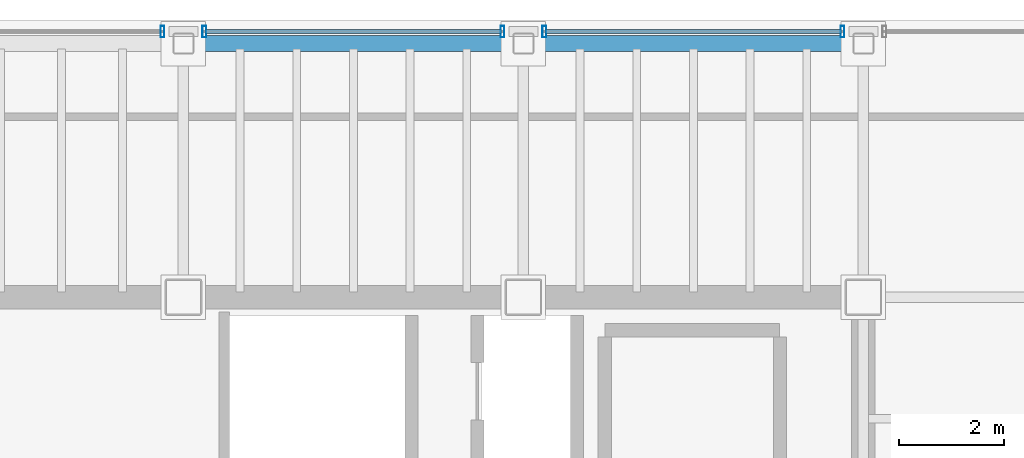
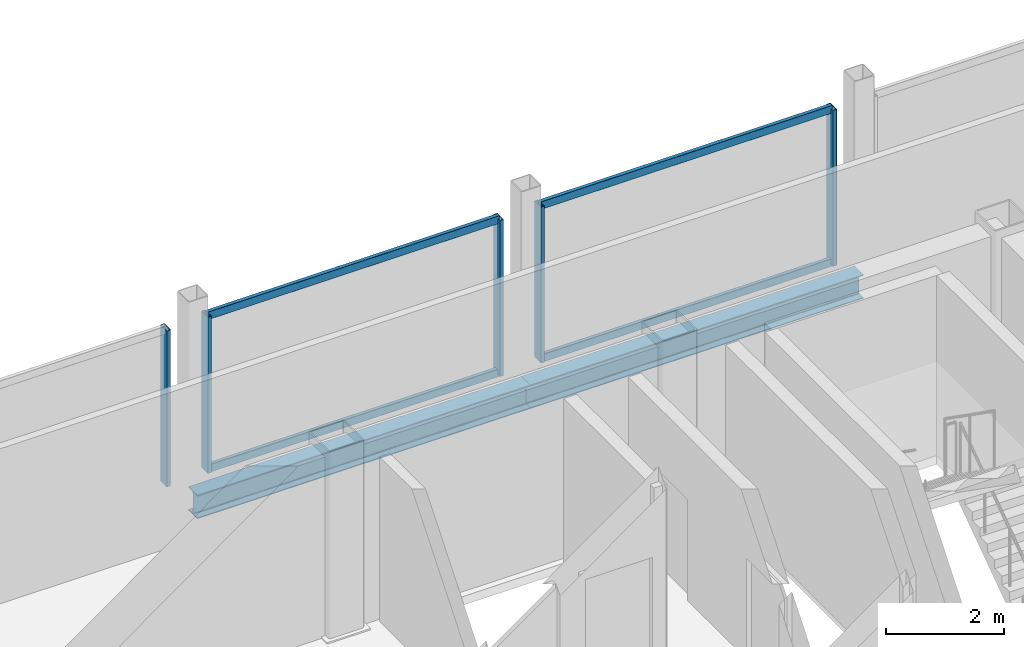
# One storey, part 10 of 17: 9 members, 2 beams, 3 elements without a shape of their own.
"""IFC4 building model written with IfcOpenShell, lengths in metres."""

import ifcopenshell
import ifcopenshell.guid

model = None  # the IFC model being written
_history = None  # IfcOwnerHistory: only IFC2X3 demands one
_inside = {}  # id of a spatial element -> (the spatial element, [elements in it])
_under = {}  # id of a project, library or spatial element -> (it, [spatial elements below it])
_declared = {}  # id of a project -> (the project, [libraries it declares])
_typed = {}  # id of a type object -> (the type object, [elements of that type])
_made_of = {}  # id of a material, layer set ... -> (it, [elements and type objects made of it])


def new_model(schema):
    """Start an empty IFC model of exactly this schema.

    Asked for "IFC4X3", IfcOpenShell would pick the latest addendum, in which some entities
    have other attributes; the version numbers below select the first issue.
    IFC2X3 requires an IfcOwnerHistory on every rooted entity: one is made here for all.
    """
    global model, _history
    if schema == "IFC4X3":
        model = ifcopenshell.file(schema_version=(4, 3, 0, 0))
    else:
        model = ifcopenshell.file(schema=schema)
    _inside.clear()
    _under.clear()
    _declared.clear()
    _typed.clear()
    _made_of.clear()
    _history = None
    if model.schema == "IFC2X3":
        org = make("IfcOrganization", Name="unknown")
        user = make(
            "IfcPersonAndOrganization",
            ThePerson=make("IfcPerson", FamilyName="unknown"),
            TheOrganization=org,
        )
        app = make(
            "IfcApplication",
            ApplicationDeveloper=org,
            Version="unknown",
            ApplicationFullName="unknown",
            ApplicationIdentifier="unknown",
        )
        _history = make(
            "IfcOwnerHistory",
            OwningUser=user,
            OwningApplication=app,
            ChangeAction="ADDED",
            CreationDate=0,
        )
    return model


def make(cls, **values):
    """One entity of the class cls with the attributes given. An attribute that is None is left unset."""
    return model.create_entity(
        cls, **{name: value for name, value in values.items() if value is not None}
    )


def rooted(cls, **values):
    """An entity with a GlobalId (a new one), such as an element, a storey or a relation."""
    return make(cls, GlobalId=ifcopenshell.guid.new(), OwnerHistory=_history, **values)


def si_unit(unit_type, name, prefix=None):
    """IfcSIUnit, for example si_unit("LENGTHUNIT", "METRE", prefix="MILLI")."""
    return make("IfcSIUnit", UnitType=unit_type, Prefix=prefix, Name=name)


def assignment(units):
    """IfcUnitAssignment: the units of a project."""
    return None if units is None else make("IfcUnitAssignment", Units=units)


def point(xyz):
    """IfcCartesianPoint."""
    return None if xyz is None else make("IfcCartesianPoint", Coordinates=xyz)


def direction(xyz):
    """IfcDirection."""
    return None if xyz is None else make("IfcDirection", DirectionRatios=xyz)


def frame(location, z_axis=None, x_axis=None):
    """IfcAxis2Placement3D, a coordinate frame: its origin and axes. An axis left out is left unset."""
    return make(
        "IfcAxis2Placement3D",
        Location=point(location),
        Axis=direction(z_axis),
        RefDirection=direction(x_axis),
    )


def frame_2d(location, x_axis=None):
    """IfcAxis2Placement2D, a coordinate frame in the plane: its origin and x axis."""
    return make(
        "IfcAxis2Placement2D", Location=point(location), RefDirection=direction(x_axis)
    )


def origin():
    """The frame at (0, 0, 0) with its axes left unset."""
    return frame((0.0, 0.0, 0.0))


def origin_2d():
    """The frame at (0, 0) in the plane with its x axis left unset."""
    return frame_2d((0.0, 0.0))


def place(relative_to, where):
    """IfcLocalPlacement: puts the frame where relative to a parent placement (None: the world)."""
    return make(
        "IfcLocalPlacement", PlacementRelTo=relative_to, RelativePlacement=where
    )


def context(
    kind, dimensions, precision=None, world=None, true_north=None, identifier=None
):
    """IfcGeometricRepresentationContext, for example the 3D "Model" context."""
    return make(
        "IfcGeometricRepresentationContext",
        ContextIdentifier=identifier,
        ContextType=kind,
        CoordinateSpaceDimension=dimensions,
        Precision=precision,
        WorldCoordinateSystem=world,
        TrueNorth=true_north,
    )


def subcontext(parent, identifier, kind, view, scale=None):
    """IfcGeometricRepresentationSubContext, for example "Body" below "Model"."""
    return make(
        "IfcGeometricRepresentationSubContext",
        ContextIdentifier=identifier,
        ContextType=kind,
        ParentContext=parent,
        TargetScale=scale,
        TargetView=view,
    )


def project(units=None, contexts=None):
    """IfcProject with its units and contexts."""
    return rooted(
        "IfcProject",
        Name="project",
        RepresentationContexts=contexts,
        UnitsInContext=assignment(units),
    )


def spatial(cls, under=None, at=None, **own):
    """A site, building, storey or space (cls), placed at a placement, below another one or the project."""
    s = rooted(cls, ObjectPlacement=at, **own)
    if under is not None:
        _under.setdefault(under.id(), (under, []))[1].append(s)
    return s


def profile(cls, at=None, kind="AREA", **sizes):
    """A parametric profile (cls). Its sizes go by their IFC names, for example OverallWidth=200.0."""
    return make(cls, ProfileType=kind, Position=at, **sizes)


def hollow_rectangle(**sizes):
    """IfcRectangleHollowProfileDef."""
    return profile("IfcRectangleHollowProfileDef", **sizes)


def i_section(**sizes):
    """IfcIShapeProfileDef."""
    return profile("IfcIShapeProfileDef", **sizes)


def extrude(swept, where, along, depth):
    """IfcExtrudedAreaSolid: the profile swept, set in the frame where, extruded along a direction by depth."""
    return make(
        "IfcExtrudedAreaSolid",
        SweptArea=swept,
        Position=where,
        ExtrudedDirection=direction(along),
        Depth=depth,
    )


def shape(context_of_items, identifier, shape_type, items):
    """IfcShapeRepresentation: the items that make up one representation, for example the "Body"."""
    return make(
        "IfcShapeRepresentation",
        ContextOfItems=context_of_items,
        RepresentationIdentifier=identifier,
        RepresentationType=shape_type,
        Items=items,
    )


def material(Name=None, Category=None):
    """IfcMaterial."""
    return make("IfcMaterial", Name=Name, Category=Category)


def material_profile(
    of_material, cross_section, Name=None, Category=None, Priority=None
):
    """IfcMaterialProfile: a cross section and its material."""
    return make(
        "IfcMaterialProfile",
        Name=Name,
        Material=of_material,
        Profile=cross_section,
        Priority=Priority,
        Category=Category,
    )


def profile_set(profiles, Name=None, composite=None):
    """IfcMaterialProfileSet."""
    return make(
        "IfcMaterialProfileSet",
        Name=Name,
        MaterialProfiles=profiles,
        CompositeProfile=composite,
    )


def made_of(thing, what):
    """Note that an element or type object is made of a material, layer set ...; save() writes the relation."""
    if what is not None:
        _made_of.setdefault(what.id(), (what, []))[1].append(thing)
    return thing


def type_object(cls, material=None, **own):
    """A type object (cls), such as IfcWallType, which elements share."""
    return made_of(rooted(cls, **own), material)


def element(
    cls,
    number,
    at=None,
    inside=None,
    cuts=None,
    type_object=None,
    material=None,
    context=None,
    identifier="Body",
    shape_type=None,
    held_by="IfcProductDefinitionShape",
    body=None,
    shapes=None,
    **own,
):
    """One element of the class cls, such as IfcWall. Its Tag is "e" and its number.

    at: its placement. inside: the storey or other place that contains it. cuts: it is an
    opening in that element (IfcRelVoidsElement). A single representation is given by context,
    identifier, shape_type and body (its items); several are given by shapes. held_by: the class
    of the entity that holds the representations. save() writes the other relations.
    """
    e = rooted(cls, Tag="e%d" % number, ObjectPlacement=at, **own)
    if body is not None:
        shapes = [shape(context, identifier, shape_type, body)]
    if shapes is not None:
        e.Representation = make(held_by, Representations=shapes)
    if inside is not None:
        _inside.setdefault(inside.id(), (inside, []))[1].append(e)
    if cuts is not None:
        rooted(
            "IfcRelVoidsElement", RelatingBuildingElement=cuts, RelatedOpeningElement=e
        )
    if type_object is not None:
        _typed.setdefault(type_object.id(), (type_object, []))[1].append(e)
    return made_of(e, material)


def aggregate(whole, parts):
    """IfcRelAggregates: a whole, such as a stair, and the parts it consists of."""
    return rooted("IfcRelAggregates", RelatingObject=whole, RelatedObjects=parts)


def save(model, path):
    """Write the relations noted so far, then the file.

    IfcRelAggregates (storeys below a building ...), IfcRelContainedInSpatialStructure (elements
    in a storey), IfcRelDefinesByType, IfcRelAssociatesMaterial and IfcRelDeclares: one each for
    every whole, place, type object, material and project.
    """
    for whole, parts in _under.values():
        aggregate(whole, parts)
    for where, things in _inside.values():
        rooted(
            "IfcRelContainedInSpatialStructure",
            RelatedElements=things,
            RelatingStructure=where,
        )
    for kind, things in _typed.values():
        rooted("IfcRelDefinesByType", RelatedObjects=things, RelatingType=kind)
    for what, things in _made_of.values():
        rooted("IfcRelAssociatesMaterial", RelatedObjects=things, RelatingMaterial=what)
    for by, libraries in _declared.values():
        rooted("IfcRelDeclares", RelatingContext=by, RelatedDefinitions=libraries)
    model.write(path)


model = new_model("IFC4")

# Units and contexts
model_context = context("Model", 3, precision=1e-05, world=origin(), true_north=direction((0.0, 1.0)))
body_context = subcontext(model_context, "Body", "Model", "MODEL_VIEW")
ifc_project = project(units=[si_unit("LENGTHUNIT", "METRE"), si_unit("AREAUNIT", "SQUARE_METRE"), si_unit("VOLUMEUNIT", "CUBIC_METRE"), si_unit("PLANEANGLEUNIT", "RADIAN"), si_unit("MASSUNIT", "GRAM", prefix="KILO")], contexts=[model_context])

# Site, building, storey
site_placement = place(None, origin())
site = spatial("IfcSite", under=ifc_project, at=site_placement, CompositionType="ELEMENT")
building_placement = place(site_placement, origin())
building = spatial("IfcBuilding", under=site, at=building_placement, Name="Noeulbin Bourse Tower", CompositionType="ELEMENT")
storey_placement = place(building_placement, frame((0.0, 0.0, 293.0)))
storey = spatial("IfcBuildingStorey", under=building, at=storey_placement, Name="L73", CompositionType="ELEMENT", Elevation=293.0)

# Beams
ifc_material_1 = material(Name="Steel S355", Category="steel")
ifc_material_profile_1 = material_profile(ifc_material_1, i_section(OverallWidth=0.300048828125, OverallDepth=0.488037109375, WebThickness=0.010986328125, FlangeThickness=0.01806640625, FilletRadius=0.02197265625, at=origin_2d()), Name="H-488x300x11x18", Category="LoadBearing")
ifc_profile_set_1 = profile_set([ifc_material_profile_1], Name="Steel S355")
beam_type = type_object("IfcBeamType", Name="BM-SPN-488", PredefinedType="SPANDREL", material=ifc_profile_set_1)
for number, where, z_axis, x_axis, name in (
    (1, (31.0, 43.14990234375, -0.424072265625), (1.0, 0.0, 0.0), (0.0, 1.0, 0.0), "North Spandrel L73-2"),
    (2, (37.5, 43.14990234375, -0.424072265625), (1.0, 0.0, 0.0), (0.0, 1.0, 0.0), "North Spandrel L73-3"),
):
    element("IfcBeam", number, at=place(storey_placement, frame(where, z_axis=z_axis, x_axis=x_axis)), inside=storey, type_object=beam_type, Name=name, PredefinedType="SPANDREL", context=body_context, shape_type="SweptSolid", body=[
        extrude(i_section(OverallWidth=0.300048828125, OverallDepth=0.488037109375, WebThickness=0.010986328125, FlangeThickness=0.01806640625, FilletRadius=0.02197265625, at=origin_2d()), origin(), (0.0, 0.0, 1.0), 6.5),
    ])

# Curtain wall, member
ifc_material_2 = material(Name="High-Selectivity Low-Iron Glazing", Category="glass")
curtain_wall_type = type_object("IfcCurtainWallType", Name="CW-SYS-4", PredefinedType="NOTDEFINED", material=ifc_material_2)
curtain_wall_1_placement = place(storey_placement, origin())
curtain_wall_1 = element("IfcCurtainWall", 3, at=curtain_wall_1_placement, inside=storey, type_object=curtain_wall_type, Name="Unitised Curtain Wall CW-L73-N-S2", PredefinedType="NOTDEFINED")
ifc_material_3 = material(Name="Anodised Aluminium 6063-T6", Category="aluminium")
ifc_material_profile_2 = material_profile(ifc_material_3, hollow_rectangle(XDim=0.074951171875, YDim=0.219970703125, WallThickness=0.0048828125, InnerFilletRadius=0.00244140625, OuterFilletRadius=0.0048828125, at=origin_2d()), Name="ALU-MULL-75x220x5", Category="LoadBearing")
ifc_profile_set_2 = profile_set([ifc_material_profile_2], Name="Anodised Aluminium 6063-T6")
member_type_1 = type_object("IfcMemberType", Name="CW-SYS-4-MUL", PredefinedType="MULLION", material=ifc_profile_set_2)
member_1_placement = place(storey_placement, frame((30.60009765625, 43.3798828125, -0.02001953125), z_axis=(0.0, 0.0, 1.0), x_axis=(1.0, 0.0, 0.0)))
member_1 = element("IfcMember", 4, at=member_1_placement, type_object=member_type_1, Name="Curtain Wall Mullion CW-L73-N-S2-M01", PredefinedType="MULLION", context=body_context, shape_type="SweptSolid", body=[
    extrude(hollow_rectangle(XDim=0.074951171875, YDim=0.219970703125, WallThickness=0.0048828125, InnerFilletRadius=0.00244140625, OuterFilletRadius=0.0048828125, at=origin_2d()), origin(), (0.0, 0.0, 1.0), 3.219970703125),
])
aggregate(curtain_wall_1, [member_1])

# Curtain wall, members
curtain_wall_2_placement = place(storey_placement, origin())
curtain_wall_2 = element("IfcCurtainWall", 5, at=curtain_wall_2_placement, inside=storey, type_object=curtain_wall_type, Name="Unitised Curtain Wall CW-L73-N-S3", PredefinedType="NOTDEFINED")
member_2_placement = place(storey_placement, frame((31.39990234375, 43.3798828125, -0.02001953125), z_axis=(0.0, 0.0, 1.0), x_axis=(1.0, 0.0, 0.0)))
member_2 = element("IfcMember", 6, at=member_2_placement, type_object=member_type_1, Name="Curtain Wall Mullion CW-L73-N-S3-M00", PredefinedType="MULLION", context=body_context, shape_type="SweptSolid", body=[
    extrude(hollow_rectangle(XDim=0.074951171875, YDim=0.219970703125, WallThickness=0.0048828125, InnerFilletRadius=0.00244140625, OuterFilletRadius=0.0048828125, at=origin_2d()), origin(), (0.0, 0.0, 1.0), 3.219970703125),
])
member_3_placement = place(storey_placement, frame((37.10009765625, 43.3798828125, -0.02001953125), z_axis=(0.0, 0.0, 1.0), x_axis=(1.0, 0.0, 0.0)))
member_3 = element("IfcMember", 7, at=member_3_placement, type_object=member_type_1, Name="Curtain Wall Mullion CW-L73-N-S3-M01", PredefinedType="MULLION", context=body_context, shape_type="SweptSolid", body=[
    extrude(hollow_rectangle(XDim=0.074951171875, YDim=0.219970703125, WallThickness=0.0048828125, InnerFilletRadius=0.00244140625, OuterFilletRadius=0.0048828125, at=origin_2d()), origin(), (0.0, 0.0, 1.0), 3.219970703125),
])

curtain_wall_3_placement = place(storey_placement, origin())
curtain_wall_3 = element("IfcCurtainWall", 8, at=curtain_wall_3_placement, inside=storey, type_object=curtain_wall_type, Name="Unitised Curtain Wall CW-L73-N-S4", PredefinedType="NOTDEFINED")
member_4_placement = place(storey_placement, frame((37.89990234375, 43.3798828125, -0.02001953125), z_axis=(0.0, 0.0, 1.0), x_axis=(1.0, 0.0, 0.0)))
member_4 = element("IfcMember", 9, at=member_4_placement, type_object=member_type_1, Name="Curtain Wall Mullion CW-L73-N-S4-M00", PredefinedType="MULLION", context=body_context, shape_type="SweptSolid", body=[
    extrude(hollow_rectangle(XDim=0.074951171875, YDim=0.219970703125, WallThickness=0.0048828125, InnerFilletRadius=0.00244140625, OuterFilletRadius=0.0048828125, at=origin_2d()), origin(), (0.0, 0.0, 1.0), 3.219970703125),
])
member_5_placement = place(storey_placement, frame((43.60009765625, 43.3798828125, -0.02001953125), z_axis=(0.0, 0.0, 1.0), x_axis=(1.0, 0.0, 0.0)))
member_5 = element("IfcMember", 10, at=member_5_placement, type_object=member_type_1, Name="Curtain Wall Mullion CW-L73-N-S4-M01", PredefinedType="MULLION", context=body_context, shape_type="SweptSolid", body=[
    extrude(hollow_rectangle(XDim=0.074951171875, YDim=0.219970703125, WallThickness=0.0048828125, InnerFilletRadius=0.00244140625, OuterFilletRadius=0.0048828125, at=origin_2d()), origin(), (0.0, 0.0, 1.0), 3.219970703125),
])

# Member
ifc_material_profile_3 = material_profile(ifc_material_3, hollow_rectangle(XDim=0.074951171875, YDim=0.159912109375, WallThickness=0.0048828125, InnerFilletRadius=0.00244140625, OuterFilletRadius=0.0048828125, at=origin_2d()), Name="ALU-TRAN-75x160x5", Category="LoadBearing")
ifc_profile_set_3 = profile_set([ifc_material_profile_3], Name="Anodised Aluminium 6063-T6")
member_type_2 = type_object("IfcMemberType", Name="CW-SYS-4-TRN", PredefinedType="USERDEFINED", material=ifc_profile_set_3)
member_6_placement = place(storey_placement, frame((31.409912109375, 43.3798828125, 0.010009765625), z_axis=(1.0, 0.0, 0.0), x_axis=(0.0, 1.0, 0.0)))
member_6 = element("IfcMember", 11, at=member_6_placement, type_object=member_type_2, Name="Curtain Wall Transom CW-L73-N-S3-T00", ObjectType="TRANSOM", PredefinedType="USERDEFINED", context=body_context, shape_type="SweptSolid", body=[
    extrude(hollow_rectangle(XDim=0.074951171875, YDim=0.159912109375, WallThickness=0.0048828125, InnerFilletRadius=0.00244140625, OuterFilletRadius=0.0048828125, at=origin_2d()), origin(), (0.0, 0.0, 1.0), 5.68017578125),
])

member_7_placement = place(storey_placement, frame((31.409912109375, 43.3798828125, 3.169921875), z_axis=(1.0, 0.0, 0.0), x_axis=(0.0, 1.0, 0.0)))
member_7 = element("IfcMember", 12, at=member_7_placement, type_object=member_type_2, Name="Curtain Wall Transom CW-L73-N-S3-T01", ObjectType="TRANSOM", PredefinedType="USERDEFINED", context=body_context, shape_type="SweptSolid", body=[
    extrude(hollow_rectangle(XDim=0.074951171875, YDim=0.159912109375, WallThickness=0.0048828125, InnerFilletRadius=0.00244140625, OuterFilletRadius=0.0048828125, at=origin_2d()), origin(), (0.0, 0.0, 1.0), 5.68017578125),
])

aggregate(curtain_wall_2, [member_2, member_3, member_6, member_7])

member_8_placement = place(storey_placement, frame((37.909912109375, 43.3798828125, 0.010009765625), z_axis=(1.0, 0.0, 0.0), x_axis=(0.0, 1.0, 0.0)))
member_8 = element("IfcMember", 13, at=member_8_placement, type_object=member_type_2, Name="Curtain Wall Transom CW-L73-N-S4-T00", ObjectType="TRANSOM", PredefinedType="USERDEFINED", context=body_context, shape_type="SweptSolid", body=[
    extrude(hollow_rectangle(XDim=0.074951171875, YDim=0.159912109375, WallThickness=0.0048828125, InnerFilletRadius=0.00244140625, OuterFilletRadius=0.0048828125, at=origin_2d()), origin(), (0.0, 0.0, 1.0), 5.68017578125),
])

member_9_placement = place(storey_placement, frame((37.909912109375, 43.3798828125, 3.169921875), z_axis=(1.0, 0.0, 0.0), x_axis=(0.0, 1.0, 0.0)))
member_9 = element("IfcMember", 14, at=member_9_placement, type_object=member_type_2, Name="Curtain Wall Transom CW-L73-N-S4-T01", ObjectType="TRANSOM", PredefinedType="USERDEFINED", context=body_context, shape_type="SweptSolid", body=[
    extrude(hollow_rectangle(XDim=0.074951171875, YDim=0.159912109375, WallThickness=0.0048828125, InnerFilletRadius=0.00244140625, OuterFilletRadius=0.0048828125, at=origin_2d()), origin(), (0.0, 0.0, 1.0), 5.68017578125),
])

aggregate(curtain_wall_3, [member_4, member_5, member_8, member_9])

save(model, "model.ifc")
